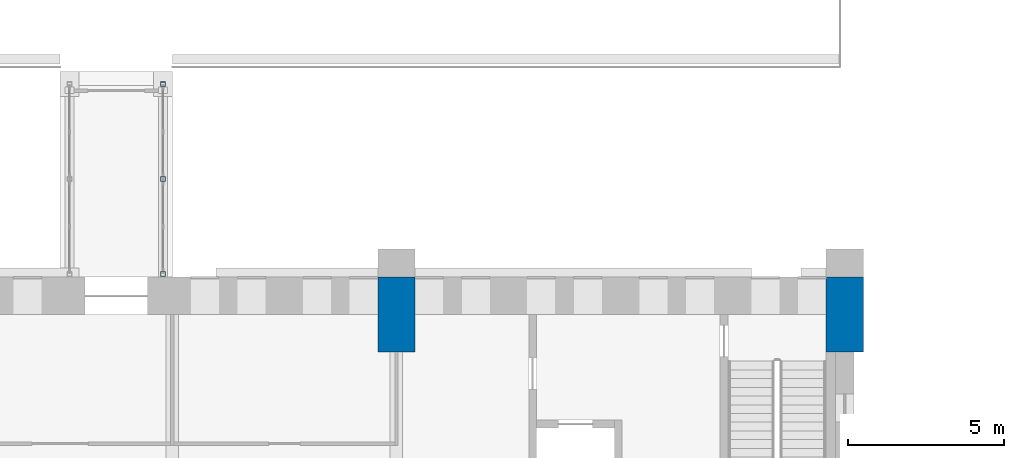
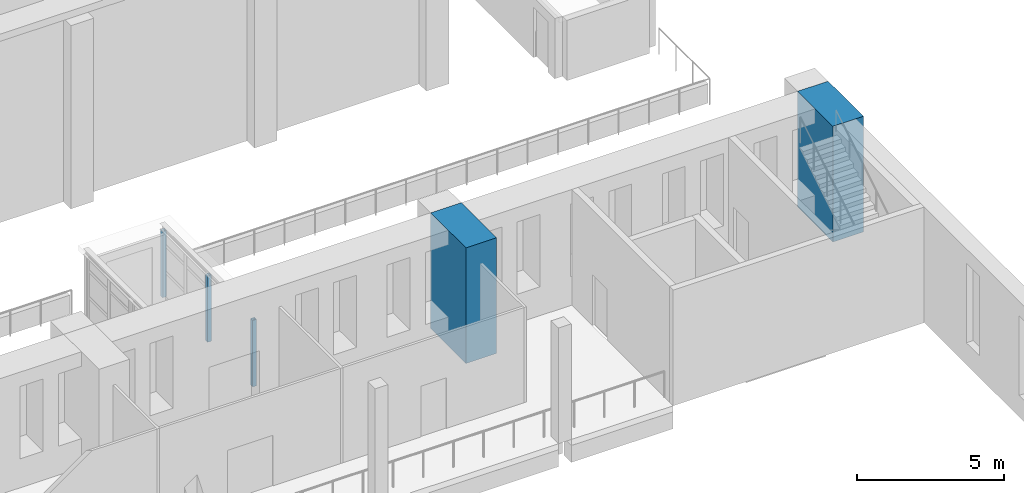
# One storey, part 26 of 131: 5 columns.
"""IFC4 building model written with IfcOpenShell, lengths in metres."""

from ifc_helpers import new_model, si_unit, direction, frame, origin, origin_2d, place, context, subcontext, project, spatial, rectangle, hollow_rectangle, extrude, material, material_profile, profile_set, type_object, element, save


model = new_model("IFC4")

# Units and contexts
model_context = context("Model", 3, precision=1e-05, world=origin(), true_north=direction((0.0, 1.0)))
body_context = subcontext(model_context, "Body", "Model", "MODEL_VIEW")
ifc_project = project(units=[si_unit("LENGTHUNIT", "METRE"), si_unit("AREAUNIT", "SQUARE_METRE"), si_unit("VOLUMEUNIT", "CUBIC_METRE"), si_unit("PLANEANGLEUNIT", "RADIAN"), si_unit("MASSUNIT", "GRAM", prefix="KILO")], contexts=[model_context])

# Site, building, storey
site_placement = place(None, origin())
site = spatial("IfcSite", under=ifc_project, at=site_placement, CompositionType="ELEMENT")
building_placement = place(site_placement, origin())
building = spatial("IfcBuilding", under=site, at=building_placement, Name="Alderwick Market Hall", CompositionType="ELEMENT")
storey_placement = place(building_placement, frame((0.0, 0.0, 4.800048828125)))
storey = spatial("IfcBuildingStorey", under=building, at=storey_placement, Name="L00", CompositionType="ELEMENT", Elevation=4.800048828125)

# Columns
ifc_material_1 = material(Name="Steel ASTM A500 Grade C", Category="steel")
ifc_material_profile_1 = material_profile(ifc_material_1, hollow_rectangle(XDim=0.152099609375, YDim=0.152099609375, WallThickness=0.009521484375, at=origin_2d()), Name="HSS152x152x9.5")
ifc_profile_set_1 = profile_set([ifc_material_profile_1], Name="Steel ASTM A500 Grade C")
column_type_1 = type_object("IfcColumnType", Name="P HSS Column 152x152x9.5", PredefinedType="COLUMN", material=ifc_profile_set_1)
for number, where, z_axis, x_axis, name in (
    (1, (129.300048828125, 108.699951171875, 0.0), (0.0, 0.0, 1.0), (1.0, 0.0, 0.0), "P.P2.col.b0"),
    (2, (129.300048828125, 111.75, 0.0), (0.0, 0.0, 1.0), (1.0, 0.0, 0.0), "P.P2.col.b1"),
    (3, (129.300048828125, 114.800048828125, 0.0), (0.0, 0.0, 1.0), (1.0, 0.0, 0.0), "P.P2.col.b2"),
):
    element("IfcColumn", number, at=place(storey_placement, frame(where, z_axis=z_axis, x_axis=x_axis)), inside=storey, type_object=column_type_1, Name=name, PredefinedType="COLUMN", context=body_context, shape_type="SweptSolid", body=[
        extrude(hollow_rectangle(XDim=0.152099609375, YDim=0.152099609375, WallThickness=0.009521484375, at=origin_2d()), origin(), (0.0, 0.0, 1.0), 2.7529296875),
    ])
ifc_material_2 = material(Name="Concrete 5000 psi (f'c 35 MPa)", Category="concrete")
ifc_material_profile_2 = material_profile(ifc_material_2, rectangle(XDim=1.199951171875, YDim=2.39990234375, at=origin_2d()), Name="RC 1200x2400")
ifc_profile_set_2 = profile_set([ifc_material_profile_2], Name="Concrete 5000 psi (f'c 35 MPa)")
column_type_2 = type_object("IfcColumnType", Name="R Buttress Pier 1200x2400", PredefinedType="COLUMN", material=ifc_profile_set_2)
for number, where, z_axis, x_axis, name in (
    (4, (136.800048828125, 107.39990234375, 0.0), (0.0, 0.0, 1.0), (1.0, 0.0, 0.0), "Buttress pier N7 L00"),
    (5, (151.199951171875, 107.39990234375, 0.0), (0.0, 0.0, 1.0), (1.0, 0.0, 0.0), "Buttress pier N8 L00"),
):
    element("IfcColumn", number, at=place(storey_placement, frame(where, z_axis=z_axis, x_axis=x_axis)), inside=storey, type_object=column_type_2, Name=name, PredefinedType="COLUMN", context=body_context, shape_type="SweptSolid", body=[
        extrude(rectangle(XDim=1.199951171875, YDim=2.39990234375, at=origin_2d()), origin(), (0.0, 0.0, 1.0), 4.800048828125),
    ])

save(model, "model.ifc")
